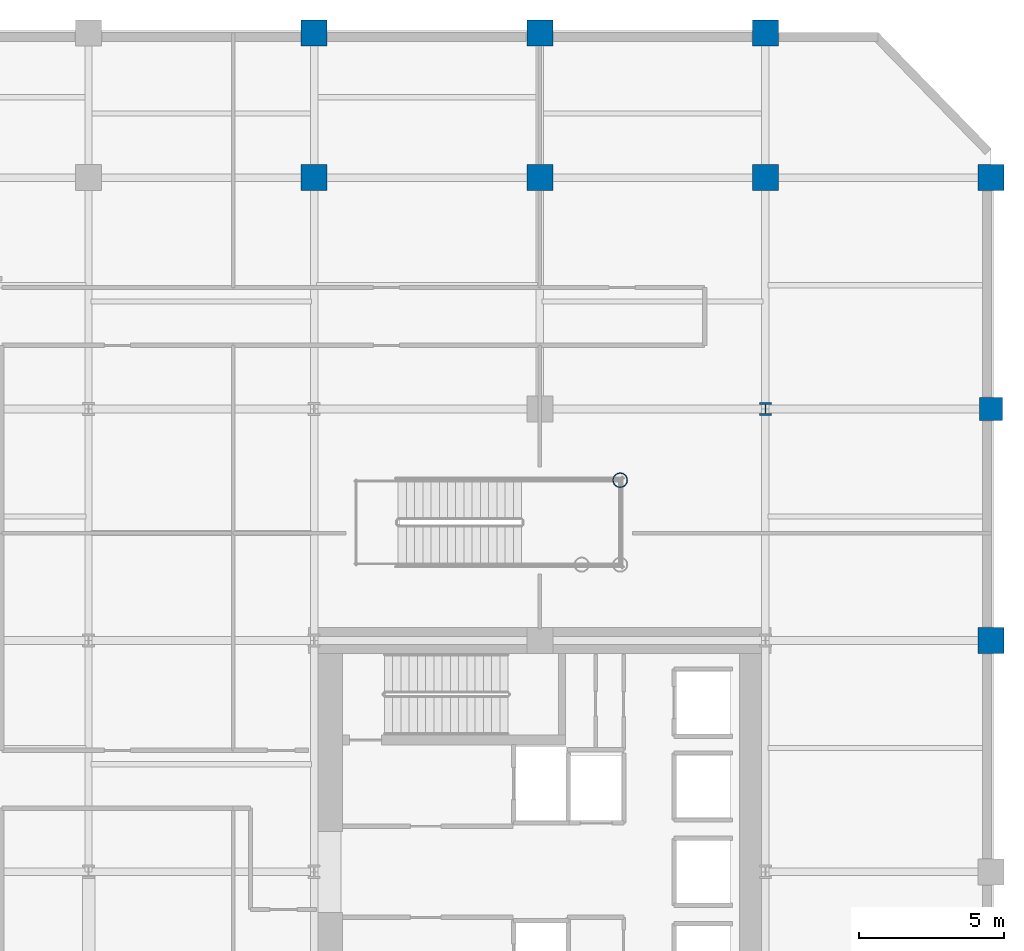
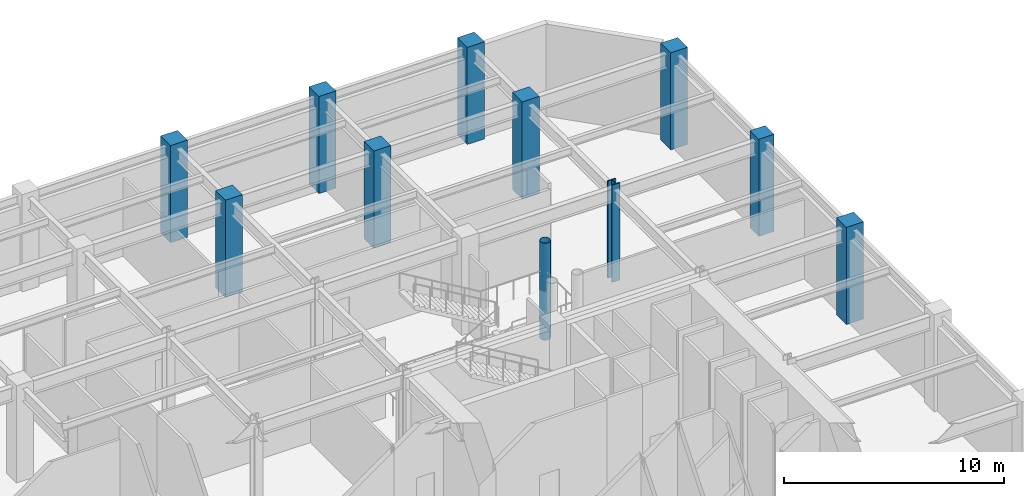
# One storey, part 4 of 11: 11 columns.
"""IFC4 building model written with IfcOpenShell, lengths in metres."""

import ifcopenshell
import ifcopenshell.guid

model = None  # the IFC model being written
_history = None  # IfcOwnerHistory: only IFC2X3 demands one
_inside = {}  # id of a spatial element -> (the spatial element, [elements in it])
_under = {}  # id of a project, library or spatial element -> (it, [spatial elements below it])
_declared = {}  # id of a project -> (the project, [libraries it declares])
_typed = {}  # id of a type object -> (the type object, [elements of that type])
_made_of = {}  # id of a material, layer set ... -> (it, [elements and type objects made of it])


def new_model(schema):
    """Start an empty IFC model of exactly this schema.

    Asked for "IFC4X3", IfcOpenShell would pick the latest addendum, in which some entities
    have other attributes; the version numbers below select the first issue.
    IFC2X3 requires an IfcOwnerHistory on every rooted entity: one is made here for all.
    """
    global model, _history
    if schema == "IFC4X3":
        model = ifcopenshell.file(schema_version=(4, 3, 0, 0))
    else:
        model = ifcopenshell.file(schema=schema)
    _inside.clear()
    _under.clear()
    _declared.clear()
    _typed.clear()
    _made_of.clear()
    _history = None
    if model.schema == "IFC2X3":
        org = make("IfcOrganization", Name="unknown")
        user = make(
            "IfcPersonAndOrganization",
            ThePerson=make("IfcPerson", FamilyName="unknown"),
            TheOrganization=org,
        )
        app = make(
            "IfcApplication",
            ApplicationDeveloper=org,
            Version="unknown",
            ApplicationFullName="unknown",
            ApplicationIdentifier="unknown",
        )
        _history = make(
            "IfcOwnerHistory",
            OwningUser=user,
            OwningApplication=app,
            ChangeAction="ADDED",
            CreationDate=0,
        )
    return model


def make(cls, **values):
    """One entity of the class cls with the attributes given. An attribute that is None is left unset."""
    return model.create_entity(
        cls, **{name: value for name, value in values.items() if value is not None}
    )


def rooted(cls, **values):
    """An entity with a GlobalId (a new one), such as an element, a storey or a relation."""
    return make(cls, GlobalId=ifcopenshell.guid.new(), OwnerHistory=_history, **values)


def si_unit(unit_type, name, prefix=None):
    """IfcSIUnit, for example si_unit("LENGTHUNIT", "METRE", prefix="MILLI")."""
    return make("IfcSIUnit", UnitType=unit_type, Prefix=prefix, Name=name)


def assignment(units):
    """IfcUnitAssignment: the units of a project."""
    return None if units is None else make("IfcUnitAssignment", Units=units)


def point(xyz):
    """IfcCartesianPoint."""
    return None if xyz is None else make("IfcCartesianPoint", Coordinates=xyz)


def direction(xyz):
    """IfcDirection."""
    return None if xyz is None else make("IfcDirection", DirectionRatios=xyz)


def frame(location, z_axis=None, x_axis=None):
    """IfcAxis2Placement3D, a coordinate frame: its origin and axes. An axis left out is left unset."""
    return make(
        "IfcAxis2Placement3D",
        Location=point(location),
        Axis=direction(z_axis),
        RefDirection=direction(x_axis),
    )


def frame_2d(location, x_axis=None):
    """IfcAxis2Placement2D, a coordinate frame in the plane: its origin and x axis."""
    return make(
        "IfcAxis2Placement2D", Location=point(location), RefDirection=direction(x_axis)
    )


def origin():
    """The frame at (0, 0, 0) with its axes left unset."""
    return frame((0.0, 0.0, 0.0))


def origin_2d():
    """The frame at (0, 0) in the plane with its x axis left unset."""
    return frame_2d((0.0, 0.0))


def place(relative_to, where):
    """IfcLocalPlacement: puts the frame where relative to a parent placement (None: the world)."""
    return make(
        "IfcLocalPlacement", PlacementRelTo=relative_to, RelativePlacement=where
    )


def context(
    kind, dimensions, precision=None, world=None, true_north=None, identifier=None
):
    """IfcGeometricRepresentationContext, for example the 3D "Model" context."""
    return make(
        "IfcGeometricRepresentationContext",
        ContextIdentifier=identifier,
        ContextType=kind,
        CoordinateSpaceDimension=dimensions,
        Precision=precision,
        WorldCoordinateSystem=world,
        TrueNorth=true_north,
    )


def subcontext(parent, identifier, kind, view, scale=None):
    """IfcGeometricRepresentationSubContext, for example "Body" below "Model"."""
    return make(
        "IfcGeometricRepresentationSubContext",
        ContextIdentifier=identifier,
        ContextType=kind,
        ParentContext=parent,
        TargetScale=scale,
        TargetView=view,
    )


def project(units=None, contexts=None):
    """IfcProject with its units and contexts."""
    return rooted(
        "IfcProject",
        Name="project",
        RepresentationContexts=contexts,
        UnitsInContext=assignment(units),
    )


def spatial(cls, under=None, at=None, **own):
    """A site, building, storey or space (cls), placed at a placement, below another one or the project."""
    s = rooted(cls, ObjectPlacement=at, **own)
    if under is not None:
        _under.setdefault(under.id(), (under, []))[1].append(s)
    return s


def profile(cls, at=None, kind="AREA", **sizes):
    """A parametric profile (cls). Its sizes go by their IFC names, for example OverallWidth=200.0."""
    return make(cls, ProfileType=kind, Position=at, **sizes)


def rectangle(**sizes):
    """IfcRectangleProfileDef."""
    return profile("IfcRectangleProfileDef", **sizes)


def hollow_circle(**sizes):
    """IfcCircleHollowProfileDef."""
    return profile("IfcCircleHollowProfileDef", **sizes)


def i_section(**sizes):
    """IfcIShapeProfileDef."""
    return profile("IfcIShapeProfileDef", **sizes)


def extrude(swept, where, along, depth):
    """IfcExtrudedAreaSolid: the profile swept, set in the frame where, extruded along a direction by depth."""
    return make(
        "IfcExtrudedAreaSolid",
        SweptArea=swept,
        Position=where,
        ExtrudedDirection=direction(along),
        Depth=depth,
    )


def shape(context_of_items, identifier, shape_type, items):
    """IfcShapeRepresentation: the items that make up one representation, for example the "Body"."""
    return make(
        "IfcShapeRepresentation",
        ContextOfItems=context_of_items,
        RepresentationIdentifier=identifier,
        RepresentationType=shape_type,
        Items=items,
    )


def material(Name=None, Category=None):
    """IfcMaterial."""
    return make("IfcMaterial", Name=Name, Category=Category)


def material_profile(
    of_material, cross_section, Name=None, Category=None, Priority=None
):
    """IfcMaterialProfile: a cross section and its material."""
    return make(
        "IfcMaterialProfile",
        Name=Name,
        Material=of_material,
        Profile=cross_section,
        Priority=Priority,
        Category=Category,
    )


def profile_set(profiles, Name=None, composite=None):
    """IfcMaterialProfileSet."""
    return make(
        "IfcMaterialProfileSet",
        Name=Name,
        MaterialProfiles=profiles,
        CompositeProfile=composite,
    )


def made_of(thing, what):
    """Note that an element or type object is made of a material, layer set ...; save() writes the relation."""
    if what is not None:
        _made_of.setdefault(what.id(), (what, []))[1].append(thing)
    return thing


def type_object(cls, material=None, **own):
    """A type object (cls), such as IfcWallType, which elements share."""
    return made_of(rooted(cls, **own), material)


def element(
    cls,
    number,
    at=None,
    inside=None,
    cuts=None,
    type_object=None,
    material=None,
    context=None,
    identifier="Body",
    shape_type=None,
    held_by="IfcProductDefinitionShape",
    body=None,
    shapes=None,
    **own,
):
    """One element of the class cls, such as IfcWall. Its Tag is "e" and its number.

    at: its placement. inside: the storey or other place that contains it. cuts: it is an
    opening in that element (IfcRelVoidsElement). A single representation is given by context,
    identifier, shape_type and body (its items); several are given by shapes. held_by: the class
    of the entity that holds the representations. save() writes the other relations.
    """
    e = rooted(cls, Tag="e%d" % number, ObjectPlacement=at, **own)
    if body is not None:
        shapes = [shape(context, identifier, shape_type, body)]
    if shapes is not None:
        e.Representation = make(held_by, Representations=shapes)
    if inside is not None:
        _inside.setdefault(inside.id(), (inside, []))[1].append(e)
    if cuts is not None:
        rooted(
            "IfcRelVoidsElement", RelatingBuildingElement=cuts, RelatedOpeningElement=e
        )
    if type_object is not None:
        _typed.setdefault(type_object.id(), (type_object, []))[1].append(e)
    return made_of(e, material)


def aggregate(whole, parts):
    """IfcRelAggregates: a whole, such as a stair, and the parts it consists of."""
    return rooted("IfcRelAggregates", RelatingObject=whole, RelatedObjects=parts)


def save(model, path):
    """Write the relations noted so far, then the file.

    IfcRelAggregates (storeys below a building ...), IfcRelContainedInSpatialStructure (elements
    in a storey), IfcRelDefinesByType, IfcRelAssociatesMaterial and IfcRelDeclares: one each for
    every whole, place, type object, material and project.
    """
    for whole, parts in _under.values():
        aggregate(whole, parts)
    for where, things in _inside.values():
        rooted(
            "IfcRelContainedInSpatialStructure",
            RelatedElements=things,
            RelatingStructure=where,
        )
    for kind, things in _typed.values():
        rooted("IfcRelDefinesByType", RelatedObjects=things, RelatingType=kind)
    for what, things in _made_of.values():
        rooted("IfcRelAssociatesMaterial", RelatedObjects=things, RelatingMaterial=what)
    for by, libraries in _declared.values():
        rooted("IfcRelDeclares", RelatingContext=by, RelatedDefinitions=libraries)
    model.write(path)


model = new_model("IFC4")

# Units and contexts
model_context = context("Model", 3, precision=1e-05, world=origin(), true_north=direction((0.0, 1.0)))
body_context = subcontext(model_context, "Body", "Model", "MODEL_VIEW")
ifc_project = project(units=[si_unit("LENGTHUNIT", "METRE"), si_unit("AREAUNIT", "SQUARE_METRE"), si_unit("VOLUMEUNIT", "CUBIC_METRE"), si_unit("PLANEANGLEUNIT", "RADIAN"), si_unit("MASSUNIT", "GRAM", prefix="KILO")], contexts=[model_context])

# Site, building, storey
site_placement = place(None, origin())
site = spatial("IfcSite", under=ifc_project, at=site_placement, CompositionType="ELEMENT")
building_placement = place(site_placement, origin())
building = spatial("IfcBuilding", under=site, at=building_placement, Name="Veymaron Broadcast Tower", CompositionType="ELEMENT")
storey_placement = place(building_placement, frame((0.0, 0.0, 16.199951171875)))
storey = spatial("IfcBuildingStorey", under=building, at=storey_placement, Name="L03", CompositionType="ELEMENT", Elevation=16.199951171875)

# Columns
ifc_material_1 = material(Name="Structural steel ASTM A913 Gr 65", Category="steel")
ifc_material_profile_1 = material_profile(ifc_material_1, i_section(OverallWidth=0.41796875, OverallDepth=0.455078125, WebThickness=0.0419921875, FlangeThickness=0.067626953125, at=origin_2d()), Name="W360X551")
ifc_profile_set_1 = profile_set([ifc_material_profile_1], Name="Structural steel ASTM A913 Gr 65")
column_type_1 = type_object("IfcColumnType", Name="COL-MC2", PredefinedType="COLUMN", material=ifc_profile_set_1)
column_1_placement = place(storey_placement, frame((54.60009765625, 40.0, 0.0), z_axis=(0.0, 0.0, 1.0), x_axis=(1.0, 0.0, 0.0)))
element("IfcColumn", 1, at=column_1_placement, inside=storey, type_object=column_type_1, Name="L03 column (54.6, 40.0)", PredefinedType="COLUMN", context=body_context, shape_type="SweptSolid", body=[
    extrude(i_section(OverallWidth=0.41796875, OverallDepth=0.455078125, WebThickness=0.0419921875, FlangeThickness=0.067626953125, at=origin_2d()), origin(), (0.0, 0.0, 1.0), 5.39501953125),
])
ifc_material_2 = material(Name="Structural steel ASTM A992 Gr 50", Category="steel")
ifc_material_profile_2 = material_profile(ifc_material_2, hollow_circle(Radius=0.25390625, WallThickness=0.02001953125, at=origin_2d()), Name="CHS508X20")
ifc_profile_set_2 = profile_set([ifc_material_profile_2], Name="Structural steel ASTM A992 Gr 50")
column_type_2 = type_object("IfcColumnType", Name="COL-PL2", PredefinedType="COLUMN", material=ifc_profile_set_2)
column_2_placement = place(storey_placement, frame((49.580078125, 37.5400390625, 0.0), z_axis=(0.0, 0.0, 1.0), x_axis=(1.0, 0.0, 0.0)))
element("IfcColumn", 2, at=column_2_placement, inside=storey, type_object=column_type_2, Name="L03 feature stair support column", PredefinedType="COLUMN", context=body_context, shape_type="SweptSolid", body=[
    extrude(hollow_circle(Radius=0.25390625, WallThickness=0.02001953125, at=origin_2d()), origin(), (0.0, 0.0, 1.0), 5.39404296875),
])
ifc_material_3 = material(Name="Concrete C50/60", Category="concrete")
ifc_material_profile_3 = material_profile(ifc_material_3, rectangle(XDim=0.89990234375, YDim=0.89990234375, at=origin_2d()), Name="RC900X900")
ifc_profile_set_3 = profile_set([ifc_material_profile_3], Name="Concrete C50/60")
column_type_3 = type_object("IfcColumnType", Name="COL-RC4", PredefinedType="COLUMN", material=ifc_profile_set_3)
for number, where, z_axis, x_axis, name in (
    (3, (39.0, 48.0, 0.0), (0.0, 0.0, 1.0), (1.0, 0.0, 0.0), "L03 column (39.0, 48.0)"),
    (4, (39.0, 53.0, 0.0), (0.0, 0.0, 1.0), (1.0, 0.0, 0.0), "L03 column (39.0, 53.0)"),
    (5, (46.800048828125, 48.0, 0.0), (0.0, 0.0, 1.0), (1.0, 0.0, 0.0), "L03 column (46.8, 48.0)"),
    (6, (46.800048828125, 53.0, 0.0), (0.0, 0.0, 1.0), (1.0, 0.0, 0.0), "L03 column (46.8, 53.0)"),
    (7, (54.60009765625, 48.0, 0.0), (0.0, 0.0, 1.0), (1.0, 0.0, 0.0), "L03 column (54.6, 48.0)"),
    (8, (54.60009765625, 53.0, 0.0), (0.0, 0.0, 1.0), (1.0, 0.0, 0.0), "L03 column (54.6, 53.0)"),
    (9, (62.39990234375, 32.0, 0.0), (0.0, 0.0, 1.0), (1.0, 0.0, 0.0), "L03 column (62.4, 32.0)"),
    (10, (62.39990234375, 48.0, 0.0), (0.0, 0.0, 1.0), (1.0, 0.0, 0.0), "L03 column (62.4, 48.0)"),
):
    element("IfcColumn", number, at=place(storey_placement, frame(where, z_axis=z_axis, x_axis=x_axis)), inside=storey, type_object=column_type_3, Name=name, PredefinedType="COLUMN", context=body_context, shape_type="SweptSolid", body=[
        extrude(rectangle(XDim=0.89990234375, YDim=0.89990234375, at=origin_2d()), origin(), (0.0, 0.0, 1.0), 5.39501953125),
    ])
ifc_material_profile_4 = material_profile(ifc_material_3, rectangle(XDim=0.800048828125, YDim=0.800048828125, at=origin_2d()), Name="RC800X800")
ifc_profile_set_4 = profile_set([ifc_material_profile_4], Name="Concrete C50/60")
column_type_4 = type_object("IfcColumnType", Name="COL-RC5", PredefinedType="COLUMN", material=ifc_profile_set_4)
column_3_placement = place(storey_placement, frame((62.39990234375, 40.0, 0.0), z_axis=(0.0, 0.0, 1.0), x_axis=(1.0, 0.0, 0.0)))
element("IfcColumn", 11, at=column_3_placement, inside=storey, type_object=column_type_4, Name="L03 column (62.4, 40.0)", PredefinedType="COLUMN", context=body_context, shape_type="SweptSolid", body=[
    extrude(rectangle(XDim=0.800048828125, YDim=0.800048828125, at=origin_2d()), origin(), (0.0, 0.0, 1.0), 5.39501953125),
])

save(model, "model.ifc")
